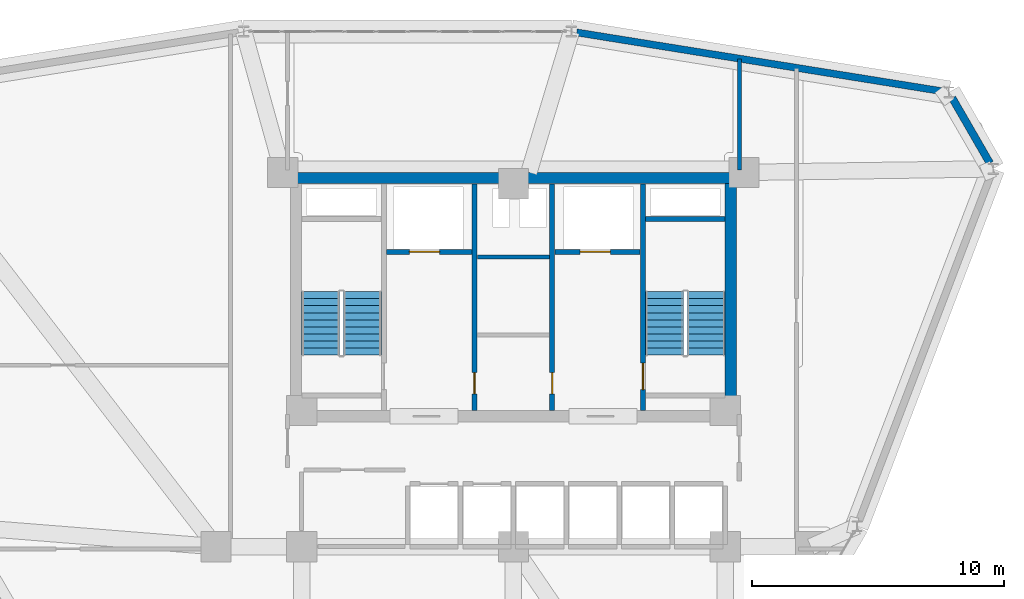
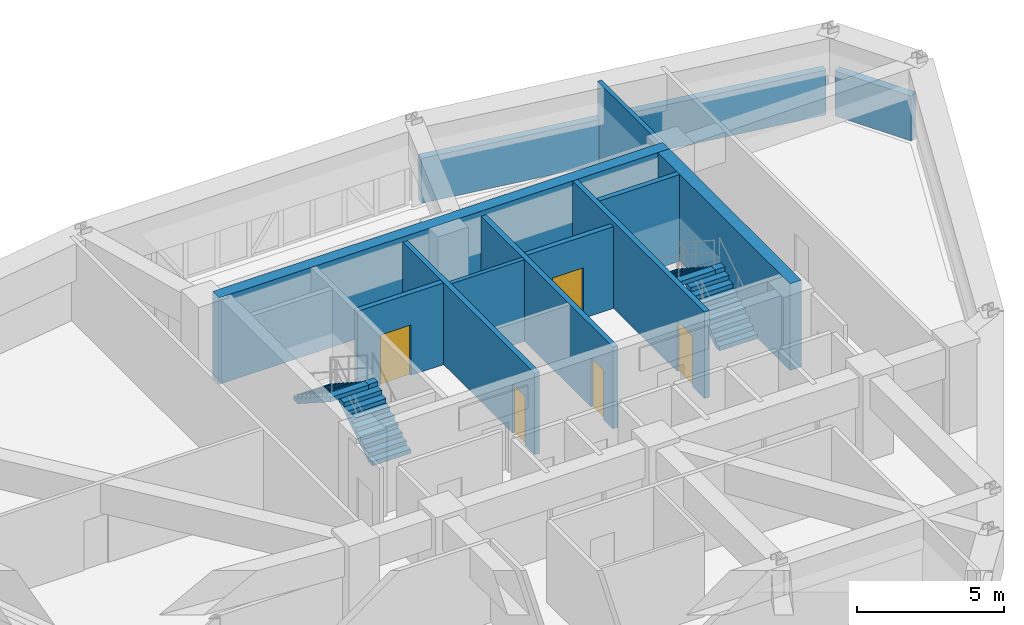
# One storey, part 12 of 13: 12 walls, 5 doors, 4 stair flights, 5 openings, 2 elements without a shape of their own.
"""IFC4 building model written with IfcOpenShell, lengths in metres."""

from ifc_helpers import new_model, si_unit, derived_unit, direction, frame, frame_2d, origin, place, context, subcontext, project, spatial, polyline, rectangle, outline, extrude, material, layer, layer_set, type_object, element, fill, aggregate, save


model = new_model("IFC4")

# Units and contexts
model_context = context("Model", 3, precision=1e-05, world=origin(), true_north=direction((0.0, 1.0)))
body_context = subcontext(model_context, "Body", "Model", "MODEL_VIEW")
ifc_project = project(units=[si_unit("LENGTHUNIT", "METRE"), si_unit("AREAUNIT", "SQUARE_METRE"), si_unit("VOLUMEUNIT", "CUBIC_METRE"), si_unit("PLANEANGLEUNIT", "RADIAN"), si_unit("MASSUNIT", "GRAM", prefix="KILO"), derived_unit("THERMALTRANSMITTANCEUNIT", [(si_unit("POWERUNIT", "WATT"), 1), (si_unit("LENGTHUNIT", "METRE"), -2), (si_unit("THERMODYNAMICTEMPERATUREUNIT", "KELVIN"), -1)])], contexts=[model_context])

# Site, building, storey
site_placement = place(None, origin())
site = spatial("IfcSite", under=ifc_project, at=site_placement, CompositionType="ELEMENT")
building_placement = place(site_placement, origin())
building = spatial("IfcBuilding", under=site, at=building_placement, Name="Korsvarv Bourse and Concert Hall", CompositionType="ELEMENT")
storey_placement = place(building_placement, frame((0.0, 0.0, 154.199951171875)))
storey = spatial("IfcBuildingStorey", under=building, at=storey_placement, Name="L39", CompositionType="ELEMENT", Elevation=154.199951171875)

# Wall, opening, door
ifc_material_1 = material(Name="Concrete C50/60", Category="concrete")
ifc_layer_1 = layer(ifc_material_1, 0.3798828125)
ifc_layer_set_1 = layer_set([ifc_layer_1], Name="Concrete C50/60")
wall_type_1 = type_object("IfcWallType", Name="WL-CORE-380", PredefinedType="SHEAR", material=ifc_layer_set_1)
wall_1_placement = place(storey_placement, frame((41.139892578125, 37.81005859375, 0.0), z_axis=(0.0, 0.0, 1.0), x_axis=(0.0, 1.0, 0.0)))
wall_1 = element("IfcWall", 1, at=wall_1_placement, inside=storey, type_object=wall_type_1, Name="L39 stair shaft structural wall W-L39-ST2-W", PredefinedType="SHEAR", context=body_context, shape_type="SweptSolid", body=[
    extrude(rectangle(XDim=8.97998046875, YDim=0.199951171875, at=frame_2d((4.489990234375, 0.0))), origin(), (0.0, 0.0, 1.0), 3.60009765625),
])
opening_1_placement = place(wall_1_placement, frame((0.820068359375, 0.0, 0.0)))
opening_1 = element("IfcOpeningElement", 2, at=opening_1_placement, cuts=wall_1, Name="Opening D-01", PredefinedType="OPENING", context=body_context, shape_type="SweptSolid", body=[
    extrude(rectangle(XDim=1.050048828125, YDim=2.10009765625, at=frame_2d((0.52490234375, 1.050048828125))), frame((0.0, 0.10986328125, 0.0), z_axis=(0.0, -1.0, 0.0), x_axis=(1.0, 0.0, 0.0)), (0.0, 0.0, 1.0), 0.219970703125),
])
ifc_material_2 = material(Name="Steel S355 fire door", Category="steel")
door_type_1 = type_object("IfcDoorType", Name="DR-FD60", OperationType="NOTDEFINED", PredefinedType="DOOR", material=ifc_material_2)
door_1_placement = place(opening_1_placement, frame((1.050048828125, 0.0, 0.0), z_axis=(0.0, 0.0, 1.0), x_axis=(-1.0, 0.0, 0.0)))
door_1 = element("IfcDoor", 3, at=door_1_placement, inside=storey, type_object=door_type_1, Name="L39 interior door DR-L39-ST2", OperationType="SINGLE_SWING_RIGHT", OverallHeight=2.10009765625, OverallWidth=1.050048828125, PredefinedType="DOOR", context=body_context, shape_type="SweptSolid", body=[
    extrude(rectangle(XDim=1.050048828125, YDim=2.10009765625, at=frame_2d((0.52490234375, 1.050048828125))), frame((0.0, 0.02490234375, 0.0), z_axis=(0.0, -1.0, 0.0), x_axis=(1.0, 0.0, 0.0)), (0.0, 0.0, 1.0), 0.050048828125),
])
fill(opening_1, door_1)

# Walls
wall_2_placement = place(storey_placement, frame((41.25, 45.39990234375, 0.0), z_axis=(0.0, 0.0, 1.0), x_axis=(1.0, 0.0, 0.0)))
element("IfcWall", 4, at=wall_2_placement, inside=storey, type_object=wall_type_1, Name="L39 stair shaft structural wall W-L39-ST2-N", PredefinedType="SHEAR", context=body_context, shape_type="SweptSolid", body=[
    extrude(rectangle(XDim=3.139892578125, YDim=0.199951171875, at=frame_2d((1.56982421875, 0.0))), origin(), (0.0, 0.0, 1.0), 3.60009765625),
])
ifc_material_3 = material(Name="Concrete C55/67", Category="concrete")
ifc_layer_2 = layer(ifc_material_3, 0.449951171875)
ifc_layer_set_2 = layer_set([ifc_layer_2], Name="Concrete C55/67")
wall_type_2 = type_object("IfcWallType", Name="WL-CORE-450", PredefinedType="SHEAR", material=ifc_layer_set_2)
wall_3_placement = place(storey_placement, frame((27.14990234375, 47.02490234375, 0.0), z_axis=(0.0, 0.0, 1.0), x_axis=(1.0, 0.0, 0.0)))
element("IfcWall", 5, at=wall_3_placement, inside=storey, type_object=wall_type_2, Name="L39 North Core Shear Wall", PredefinedType="SHEAR", context=body_context, shape_type="SweptSolid", body=[
    extrude(rectangle(XDim=17.7001953125, YDim=0.449951171875, at=frame_2d((8.85009765625, 0.0))), origin(), (0.0, 0.0, 1.0), 3.60009765625),
])
wall_4_placement = place(storey_placement, frame((44.625, 37.800048828125, 0.0), z_axis=(0.0, 0.0, 1.0), x_axis=(0.0, 1.0, 0.0)))
element("IfcWall", 6, at=wall_4_placement, inside=storey, type_object=wall_type_2, Name="L39 East Core Shear Wall", PredefinedType="SHEAR", context=body_context, shape_type="SweptSolid", body=[
    extrude(rectangle(XDim=9.0, YDim=0.449951171875, at=frame_2d((4.5, 0.0))), origin(), (0.0, 0.0, 1.0), 3.60009765625),
])
ifc_material_4 = material(Name="Precast concrete C45/55 with terracotta rainscreen", Category="concrete")
ifc_layer_3 = layer(ifc_material_4, 0.300048828125)
ifc_layer_set_3 = layer_set([ifc_layer_3], Name="Precast concrete C45/55 with terracotta rainscreen")
wall_type_3 = type_object("IfcWallType", Name="WL-EXT-TC1", PredefinedType="SOLIDWALL", material=ifc_layer_set_3)
wall_5_placement = place(storey_placement, frame((54.905517578125, 47.612548828125, 0.0), z_axis=(0.0, 0.0, 1.0), x_axis=(-0.499974392705, 0.866040187658, 0.0)))
element("IfcWall", 7, at=wall_5_placement, inside=storey, type_object=wall_type_3, Name="L39 terracotta exterior wall EW-L39-B01", PredefinedType="SOLIDWALL", context=body_context, shape_type="SweptSolid", body=[
    extrude(rectangle(XDim=2.991943359375, YDim=0.300048828125, at=frame_2d((1.49609375, 0.0))), origin(), (0.0, 0.0, 1.0), 1.8701171875),
])
ifc_material_5 = material(Name="Precast concrete C45/55 with fluted terracotta pier", Category="concrete")
ifc_layer_4 = layer(ifc_material_5, 0.280029296875)
ifc_layer_set_4 = layer_set([ifc_layer_4], Name="Precast concrete C45/55 with fluted terracotta pier")
wall_type_4 = type_object("IfcWallType", Name="WL-EXT-TC2", PredefinedType="SOLIDWALL", material=ifc_layer_set_4)
wall_6_placement = place(storey_placement, frame((53.070068359375, 50.460205078125, 0.0), z_axis=(0.0, 0.0, 1.0), x_axis=(-0.987303259595, 0.158846698404, 0.0)))
element("IfcWall", 8, at=wall_6_placement, inside=storey, type_object=wall_type_4, Name="L39 terracotta exterior wall EW-L39-B02", PredefinedType="SOLIDWALL", context=body_context, shape_type="SweptSolid", body=[
    extrude(rectangle(XDim=14.74560546875, YDim=0.280029296875, at=frame_2d((7.372802734375, 0.0))), origin(), (0.0, 0.0, 1.0), 1.8701171875),
])

# Wall, opening, door
ifc_material_6 = material(Name="Reinforced concrete blockwork C35/45 fire wall", Category="concrete")
ifc_layer_5 = layer(ifc_material_6, 0.199951171875)
ifc_layer_set_5 = layer_set([ifc_layer_5], Name="Reinforced concrete blockwork C35/45 fire wall")
wall_type_5 = type_object("IfcWallType", Name="WL-INT-EI120", PredefinedType="PARTITIONING", material=ifc_layer_set_5)
wall_7_placement = place(storey_placement, frame((30.969970703125, 44.10009765625, 0.0), z_axis=(0.0, 0.0, 1.0), x_axis=(1.0, 0.0, 0.0)))
wall_7 = element("IfcWall", 9, at=wall_7_placement, inside=storey, type_object=wall_type_5, Name="L39 interior partition wall W-L39-FF1-S", PredefinedType="PARTITIONING", context=body_context, shape_type="SweptSolid", body=[
    extrude(rectangle(XDim=3.380126953125, YDim=0.199951171875, at=frame_2d((1.68994140625, 0.0))), origin(), (0.0, 0.0, 1.0), 3.400146484375),
])
opening_2_placement = place(wall_7_placement, frame((0.89990234375, 0.0, 0.0)))
opening_2 = element("IfcOpeningElement", 10, at=opening_2_placement, cuts=wall_7, Name="Opening LD-1", PredefinedType="OPENING", context=body_context, shape_type="SweptSolid", body=[
    extrude(rectangle(XDim=1.199951171875, YDim=2.10009765625, at=frame_2d((0.60009765625, 1.050048828125))), frame((0.0, 0.10986328125, 0.0), z_axis=(0.0, -1.0, 0.0), x_axis=(1.0, 0.0, 0.0)), (0.0, 0.0, 1.0), 0.219970703125),
])
ifc_material_7 = material(Name="Stainless Steel S355 firefighting lift landing door", Category="steel")
door_type_2 = type_object("IfcDoorType", Name="DR-LIFT-FF", OperationType="DOUBLE_DOOR_SLIDING", PredefinedType="DOOR", material=ifc_material_7)
door_2_placement = place(opening_2_placement, origin())
door_2 = element("IfcDoor", 11, at=door_2_placement, inside=storey, type_object=door_type_2, Name="L39 lift sliding landing door LD-L39-FF1", OperationType="DOUBLE_DOOR_SLIDING", OverallHeight=2.10009765625, OverallWidth=1.199951171875, PredefinedType="DOOR", context=body_context, shape_type="SweptSolid", body=[
    extrude(rectangle(XDim=1.199951171875, YDim=2.10009765625, at=frame_2d((0.60009765625, 1.050048828125))), frame((0.0, 0.02490234375, 0.0), z_axis=(0.0, -1.0, 0.0), x_axis=(1.0, 0.0, 0.0)), (0.0, 0.0, 1.0), 0.050048828125),
])
fill(opening_2, door_2)

wall_8_placement = place(storey_placement, frame((37.64990234375, 44.10009765625, 0.0), z_axis=(0.0, 0.0, 1.0), x_axis=(1.0, 0.0, 0.0)))
wall_8 = element("IfcWall", 12, at=wall_8_placement, inside=storey, type_object=wall_type_5, Name="L39 interior partition wall W-L39-FF2-S", PredefinedType="PARTITIONING", context=body_context, shape_type="SweptSolid", body=[
    extrude(rectangle(XDim=3.380126953125, YDim=0.199951171875, at=frame_2d((1.68994140625, 0.0))), origin(), (0.0, 0.0, 1.0), 3.400146484375),
])
opening_3_placement = place(wall_8_placement, frame((1.0, 0.0, 0.0)))
opening_3 = element("IfcOpeningElement", 13, at=opening_3_placement, cuts=wall_8, Name="Opening LD-1", PredefinedType="OPENING", context=body_context, shape_type="SweptSolid", body=[
    extrude(rectangle(XDim=1.199951171875, YDim=2.10009765625, at=frame_2d((0.60009765625, 1.050048828125))), frame((0.0, 0.10986328125, 0.0), z_axis=(0.0, -1.0, 0.0), x_axis=(1.0, 0.0, 0.0)), (0.0, 0.0, 1.0), 0.219970703125),
])
door_3_placement = place(opening_3_placement, origin())
door_3 = element("IfcDoor", 14, at=door_3_placement, inside=storey, type_object=door_type_2, Name="L39 lift sliding landing door LD-L39-FF2", OperationType="DOUBLE_DOOR_SLIDING", OverallHeight=2.10009765625, OverallWidth=1.199951171875, PredefinedType="DOOR", context=body_context, shape_type="SweptSolid", body=[
    extrude(rectangle(XDim=1.199951171875, YDim=2.10009765625, at=frame_2d((0.60009765625, 1.050048828125))), frame((0.0, 0.02490234375, 0.0), z_axis=(0.0, -1.0, 0.0), x_axis=(1.0, 0.0, 0.0)), (0.0, 0.0, 1.0), 0.050048828125),
])
fill(opening_3, door_3)

wall_9_placement = place(storey_placement, frame((34.4599609375, 37.81005859375, 0.0), z_axis=(0.0, 0.0, 1.0), x_axis=(0.0, 1.0, 0.0)))
wall_9 = element("IfcWall", 15, at=wall_9_placement, inside=storey, type_object=wall_type_5, Name="L39 interior partition wall W-L39-CSB-W", PredefinedType="PARTITIONING", context=body_context, shape_type="SweptSolid", body=[
    extrude(rectangle(XDim=8.97998046875, YDim=0.199951171875, at=frame_2d((4.489990234375, 0.0))), origin(), (0.0, 0.0, 1.0), 3.400146484375),
])
opening_4_placement = place(wall_9_placement, frame((0.64990234375, 0.0, 0.0)))
opening_4 = element("IfcOpeningElement", 16, at=opening_4_placement, cuts=wall_9, Name="Opening D-05", PredefinedType="OPENING", context=body_context, shape_type="SweptSolid", body=[
    extrude(rectangle(XDim=0.85009765625, YDim=2.050048828125, at=frame_2d((0.425048828125, 1.02490234375))), frame((0.0, 0.10986328125, 0.0), z_axis=(0.0, -1.0, 0.0), x_axis=(1.0, 0.0, 0.0)), (0.0, 0.0, 1.0), 0.219970703125),
])
door_type_3 = type_object("IfcDoorType", Name="DR-FD60-850X2050", OperationType="NOTDEFINED", PredefinedType="DOOR", material=ifc_material_2)
door_4_placement = place(opening_4_placement, frame((0.85009765625, 0.0, 0.0), z_axis=(0.0, 0.0, 1.0), x_axis=(-1.0, 0.0, 0.0)))
door_4 = element("IfcDoor", 17, at=door_4_placement, inside=storey, type_object=door_type_3, Name="L39 interior door DR-L39-CSB1", OperationType="SINGLE_SWING_LEFT", OverallHeight=2.050048828125, OverallWidth=0.85009765625, PredefinedType="DOOR", context=body_context, shape_type="SweptSolid", body=[
    extrude(rectangle(XDim=0.85009765625, YDim=2.050048828125, at=frame_2d((0.425048828125, 1.02490234375))), frame((0.0, 0.02490234375, 0.0), z_axis=(0.0, -1.0, 0.0), x_axis=(1.0, 0.0, 0.0)), (0.0, 0.0, 1.0), 0.050048828125),
])
fill(opening_4, door_4)

wall_10_placement = place(storey_placement, frame((37.5400390625, 37.81005859375, 0.0), z_axis=(0.0, 0.0, 1.0), x_axis=(0.0, 1.0, 0.0)))
wall_10 = element("IfcWall", 18, at=wall_10_placement, inside=storey, type_object=wall_type_5, Name="L39 interior partition wall W-L39-CSB-E", PredefinedType="PARTITIONING", context=body_context, shape_type="SweptSolid", body=[
    extrude(rectangle(XDim=8.97998046875, YDim=0.199951171875, at=frame_2d((4.489990234375, 0.0))), origin(), (0.0, 0.0, 1.0), 3.400146484375),
])
opening_5_placement = place(wall_10_placement, frame((0.64990234375, 0.0, 0.0)))
opening_5 = element("IfcOpeningElement", 19, at=opening_5_placement, cuts=wall_10, Name="Opening D-05", PredefinedType="OPENING", context=body_context, shape_type="SweptSolid", body=[
    extrude(rectangle(XDim=0.85009765625, YDim=2.050048828125, at=frame_2d((0.425048828125, 1.02490234375))), frame((0.0, 0.10986328125, 0.0), z_axis=(0.0, -1.0, 0.0), x_axis=(1.0, 0.0, 0.0)), (0.0, 0.0, 1.0), 0.219970703125),
])
door_5_placement = place(opening_5_placement, origin())
door_5 = element("IfcDoor", 20, at=door_5_placement, inside=storey, type_object=door_type_3, Name="L39 interior door DR-L39-CSB2", OperationType="SINGLE_SWING_RIGHT", OverallHeight=2.050048828125, OverallWidth=0.85009765625, PredefinedType="DOOR", context=body_context, shape_type="SweptSolid", body=[
    extrude(rectangle(XDim=0.85009765625, YDim=2.050048828125, at=frame_2d((0.425048828125, 1.02490234375))), frame((0.0, 0.02490234375, 0.0), z_axis=(0.0, -1.0, 0.0), x_axis=(1.0, 0.0, 0.0)), (0.0, 0.0, 1.0), 0.050048828125),
])
fill(opening_5, door_5)

# Walls
ifc_material_8 = material(Name="Double-stud fire-rated acoustic partition", Category="gypsum")
ifc_layer_6 = layer(ifc_material_8, 0.159912109375)
ifc_layer_set_6 = layer_set([ifc_layer_6], Name="Double-stud fire-rated acoustic partition")
wall_type_6 = type_object("IfcWallType", Name="WL-INT-EI60", PredefinedType="PARTITIONING", material=ifc_layer_set_6)
wall_11_placement = place(storey_placement, frame((34.570068359375, 43.89990234375, 0.0), z_axis=(0.0, 0.0, 1.0), x_axis=(1.0, 0.0, 0.0)))
element("IfcWall", 21, at=wall_11_placement, inside=storey, type_object=wall_type_6, Name="L39 interior partition wall W-L39-K2", PredefinedType="PARTITIONING", context=body_context, shape_type="SweptSolid", body=[
    extrude(rectangle(XDim=2.85986328125, YDim=0.159912109375, at=frame_2d((1.429931640625, 0.0))), origin(), (0.0, 0.0, 1.0), 3.400146484375),
])
wall_12_placement = place(storey_placement, frame((44.965087890625, 47.340087890625, 0.0), z_axis=(0.0, 0.0, 1.0), x_axis=(0.0, 1.0, 0.0)))
element("IfcWall", 22, at=wall_12_placement, inside=storey, type_object=wall_type_6, Name="L39 interior partition wall W-L39-TCOR-10", PredefinedType="PARTITIONING", context=body_context, shape_type="SweptSolid", body=[
    extrude(rectangle(XDim=4.404052734375, YDim=0.159912109375, at=frame_2d((2.2021484375, 0.0))), origin(), (0.0, 0.0, 1.0), 3.400146484375),
])

# Stair, stair flights
ifc_material_9 = material(Name="Precast concrete C45/55", Category="concrete")
stair_type = type_object("IfcStairType", Name="STR-TYPE-04", PredefinedType="HALF_TURN_STAIR", material=ifc_material_9)
stair_1_placement = place(storey_placement, origin())
stair_1 = element("IfcStair", 23, at=stair_1_placement, inside=storey, type_object=stair_type, Name="L39 Tower West Exit Stair ST-T1", PredefinedType="HALF_TURN_STAIR")
stair_flight_type = type_object("IfcStairFlightType", Name="FLT-TYPE-04", PredefinedType="STRAIGHT", material=ifc_material_9)
stair_flight_1_placement = place(storey_placement, frame((30.010009765625, 40.0, 0.0), z_axis=(0.0, 0.0, 1.0), x_axis=(0.0, 1.0, 0.0)))
stair_flight_1 = element("IfcStairFlight", 24, at=stair_flight_1_placement, type_object=stair_flight_type, Name="ST-T1 flight 1", NumberOfRisers=10, NumberOfTreads=9, PredefinedType="STRAIGHT", RiserHeight=0.18, TreadLength=0.28, context=body_context, shape_type="SweptSolid", body=[
    extrude(outline(polyline([(0.0, 0.0), (0.0, 0.179931640625), (0.280029296875, 0.179931640625), (0.280029296875, 0.360107421875), (0.56005859375, 0.360107421875), (0.56005859375, 0.5400390625), (0.840087890625, 0.5400390625), (0.840087890625, 0.719970703125), (1.1201171875, 0.719970703125), (1.1201171875, 0.89990234375), (1.39990234375, 0.89990234375), (1.39990234375, 1.080078125), (1.679931640625, 1.080078125), (1.679931640625, 1.260009765625), (1.9599609375, 1.260009765625), (1.9599609375, 1.43994140625), (2.239990234375, 1.43994140625), (2.239990234375, 1.6201171875), (2.52001953125, 1.6201171875), (2.52001953125, 1.800048828125), (2.52001953125, 1.44189453125), (0.277099609375, 0.0), (0.0, 0.0)])), frame((0.0, 0.75, 0.0), z_axis=(0.0, -1.0, 0.0), x_axis=(1.0, 0.0, 0.0)), (0.0, 0.0, 1.0), 1.5),
])
stair_flight_2_placement = place(storey_placement, frame((28.35009765625, 42.52001953125, 1.800048828125), z_axis=(0.0, 0.0, 1.0), x_axis=(0.0, -1.0, 0.0)))
stair_flight_2 = element("IfcStairFlight", 25, at=stair_flight_2_placement, type_object=stair_flight_type, Name="ST-T1 flight 2", NumberOfRisers=10, NumberOfTreads=9, PredefinedType="STRAIGHT", RiserHeight=0.18, TreadLength=0.28, context=body_context, shape_type="SweptSolid", body=[
    extrude(outline(polyline([(0.0, 0.0), (0.0, 0.179931640625), (0.280029296875, 0.179931640625), (0.280029296875, 0.360107421875), (0.56005859375, 0.360107421875), (0.56005859375, 0.5400390625), (0.840087890625, 0.5400390625), (0.840087890625, 0.719970703125), (1.1201171875, 0.719970703125), (1.1201171875, 0.89990234375), (1.39990234375, 0.89990234375), (1.39990234375, 1.080078125), (1.679931640625, 1.080078125), (1.679931640625, 1.260009765625), (1.9599609375, 1.260009765625), (1.9599609375, 1.43994140625), (2.239990234375, 1.43994140625), (2.239990234375, 1.6201171875), (2.52001953125, 1.6201171875), (2.52001953125, 1.800048828125), (2.52001953125, 1.44189453125), (0.277099609375, 0.0), (0.0, 0.0)])), frame((0.0, 0.75, 0.0), z_axis=(0.0, -1.0, 0.0), x_axis=(1.0, 0.0, 0.0)), (0.0, 0.0, 1.0), 1.5),
])
aggregate(stair_1, [stair_flight_1, stair_flight_2])

stair_2_placement = place(storey_placement, origin())
stair_2 = element("IfcStair", 26, at=stair_2_placement, inside=storey, type_object=stair_type, Name="L39 Tower East Exit Stair ST-T2", PredefinedType="HALF_TURN_STAIR")
stair_flight_3_placement = place(storey_placement, frame((43.64990234375, 40.0, 0.0), z_axis=(0.0, 0.0, 1.0), x_axis=(0.0, 1.0, 0.0)))
stair_flight_3 = element("IfcStairFlight", 27, at=stair_flight_3_placement, type_object=stair_flight_type, Name="ST-T2 flight 1", NumberOfRisers=10, NumberOfTreads=9, PredefinedType="STRAIGHT", RiserHeight=0.18, TreadLength=0.28, context=body_context, shape_type="SweptSolid", body=[
    extrude(outline(polyline([(0.0, 0.0), (0.0, 0.179931640625), (0.280029296875, 0.179931640625), (0.280029296875, 0.360107421875), (0.56005859375, 0.360107421875), (0.56005859375, 0.5400390625), (0.840087890625, 0.5400390625), (0.840087890625, 0.719970703125), (1.1201171875, 0.719970703125), (1.1201171875, 0.89990234375), (1.39990234375, 0.89990234375), (1.39990234375, 1.080078125), (1.679931640625, 1.080078125), (1.679931640625, 1.260009765625), (1.9599609375, 1.260009765625), (1.9599609375, 1.43994140625), (2.239990234375, 1.43994140625), (2.239990234375, 1.6201171875), (2.52001953125, 1.6201171875), (2.52001953125, 1.800048828125), (2.52001953125, 1.44189453125), (0.277099609375, 0.0), (0.0, 0.0)])), frame((0.0, 0.75, 0.0), z_axis=(0.0, -1.0, 0.0), x_axis=(1.0, 0.0, 0.0)), (0.0, 0.0, 1.0), 1.5),
])
stair_flight_4_placement = place(storey_placement, frame((41.989990234375, 42.52001953125, 1.800048828125), z_axis=(0.0, 0.0, 1.0), x_axis=(0.0, -1.0, 0.0)))
stair_flight_4 = element("IfcStairFlight", 28, at=stair_flight_4_placement, type_object=stair_flight_type, Name="ST-T2 flight 2", NumberOfRisers=10, NumberOfTreads=9, PredefinedType="STRAIGHT", RiserHeight=0.18, TreadLength=0.28, context=body_context, shape_type="SweptSolid", body=[
    extrude(outline(polyline([(0.0, 0.0), (0.0, 0.179931640625), (0.280029296875, 0.179931640625), (0.280029296875, 0.360107421875), (0.56005859375, 0.360107421875), (0.56005859375, 0.5400390625), (0.840087890625, 0.5400390625), (0.840087890625, 0.719970703125), (1.1201171875, 0.719970703125), (1.1201171875, 0.89990234375), (1.39990234375, 0.89990234375), (1.39990234375, 1.080078125), (1.679931640625, 1.080078125), (1.679931640625, 1.260009765625), (1.9599609375, 1.260009765625), (1.9599609375, 1.43994140625), (2.239990234375, 1.43994140625), (2.239990234375, 1.6201171875), (2.52001953125, 1.6201171875), (2.52001953125, 1.800048828125), (2.52001953125, 1.44189453125), (0.277099609375, 0.0), (0.0, 0.0)])), frame((0.0, 0.75, 0.0), z_axis=(0.0, -1.0, 0.0), x_axis=(1.0, 0.0, 0.0)), (0.0, 0.0, 1.0), 1.5),
])
aggregate(stair_2, [stair_flight_3, stair_flight_4])

save(model, "model.ifc")
